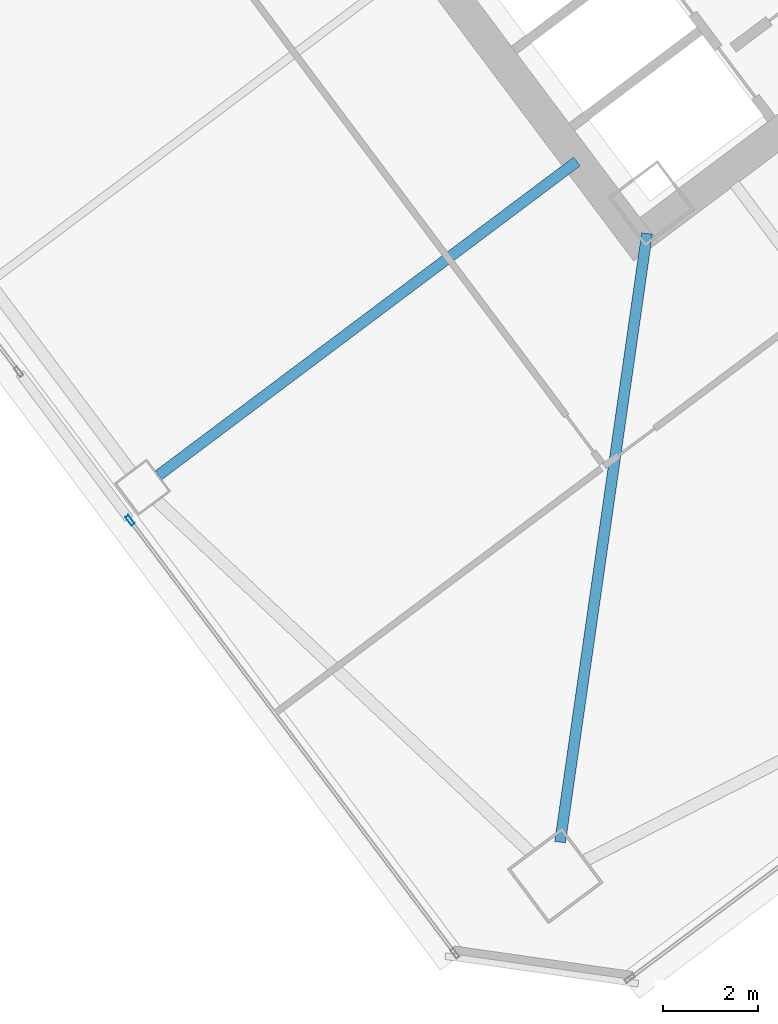
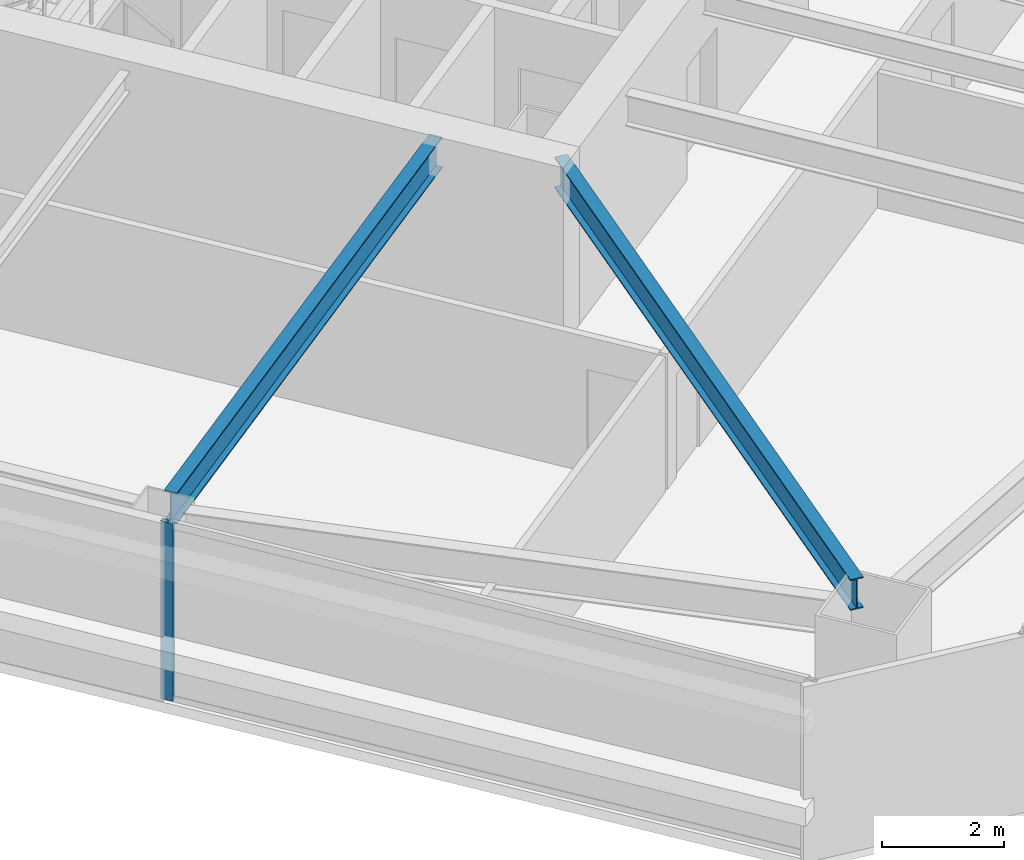
# One storey, part 19 of 46: 2 beams, 1 member, 1 element without a shape of its own.
"""IFC4 building model written with IfcOpenShell, lengths in metres."""

from ifc_helpers import new_model, si_unit, direction, frame, origin, origin_2d, place, context, subcontext, project, spatial, hollow_rectangle, i_section, extrude, material, material_profile, profile_set, type_object, element, aggregate, save


model = new_model("IFC4")

# Units and contexts
model_context = context("Model", 3, precision=1e-05, world=origin(), true_north=direction((0.0, 1.0)))
body_context = subcontext(model_context, "Body", "Model", "MODEL_VIEW")
ifc_project = project(units=[si_unit("LENGTHUNIT", "METRE"), si_unit("AREAUNIT", "SQUARE_METRE"), si_unit("VOLUMEUNIT", "CUBIC_METRE"), si_unit("PLANEANGLEUNIT", "RADIAN"), si_unit("MASSUNIT", "GRAM", prefix="KILO")], contexts=[model_context])

# Site, building, storey
site_placement = place(None, origin())
site = spatial("IfcSite", under=ifc_project, at=site_placement, CompositionType="ELEMENT")
building_placement = place(site_placement, origin())
building = spatial("IfcBuilding", under=site, at=building_placement, Name="Tashvorn Skyway Center", CompositionType="ELEMENT")
storey_placement = place(building_placement, frame((0.0, 0.0, 99.14990234375)))
storey = spatial("IfcBuildingStorey", under=building, at=storey_placement, Name="L26", CompositionType="ELEMENT", Elevation=99.14990234375)

# Beams
ifc_material_1 = material(Name="Steel ASTM A992 Grade 50", Category="steel")
ifc_material_profile_1 = material_profile(ifc_material_1, i_section(OverallWidth=0.22998046875, OverallDepth=0.616943359375, WebThickness=0.01318359375, FlangeThickness=0.022216796875, at=origin_2d()), Name="W24X94")
ifc_profile_set_1 = profile_set([ifc_material_profile_1], Name="Steel ASTM A992 Grade 50")
beam_type = type_object("IfcBeamType", Name="BM-BEAM-W24X94", PredefinedType="BEAM", material=ifc_profile_set_1)
beam_1_placement = place(storey_placement, frame((110.661865234375, 8.6328125, 3.04150390625), z_axis=(0.141418724841, 0.989949869571, 0.0), x_axis=(-0.989949869571, 0.141418724841, 0.0)))
element("IfcBeam", 1, at=beam_1_placement, inside=storey, type_object=beam_type, Name="Tower 2 L26 Primary Floor Girder MC-SW", PredefinedType="BEAM", context=body_context, shape_type="SweptSolid", body=[
    extrude(i_section(OverallWidth=0.22998046875, OverallDepth=0.616943359375, WebThickness=0.01318359375, FlangeThickness=0.022216796875, at=origin_2d()), origin(), (0.0, 0.0, 1.0), 12.9892578125),
])
beam_2_placement = place(storey_placement, frame((102.176025390625, 16.382080078125, 3.04150390625), z_axis=(0.800007953832, 0.599989394744, 0.0), x_axis=(-0.599989394744, 0.800007953832, 0.0)))
element("IfcBeam", 2, at=beam_2_placement, inside=storey, type_object=beam_type, Name="Tower 2 L26 Primary Floor Girder FC-W2", PredefinedType="BEAM", context=body_context, shape_type="SweptSolid", body=[
    extrude(i_section(OverallWidth=0.22998046875, OverallDepth=0.616943359375, WebThickness=0.01318359375, FlangeThickness=0.022216796875, at=origin_2d()), origin(), (0.0, 0.0, 1.0), 11.050048828125),
])

# Curtain wall, member
ifc_material_2 = material(Name="Thermally broken bronze-anodized aluminium 6063-T6", Category="aluminium")
curtain_wall_type = type_object("IfcCurtainWallType", Name="CW-CW-Z2", PredefinedType="NOTDEFINED", material=ifc_material_2)
curtain_wall_placement = place(storey_placement, origin())
curtain_wall = element("IfcCurtainWall", 3, at=curtain_wall_placement, inside=storey, type_object=curtain_wall_type, Name="Tower 2 L26 West Unitised Curtain Wall Glazing Group 1", PredefinedType="NOTDEFINED")
ifc_material_profile_2 = material_profile(ifc_material_2, hollow_rectangle(XDim=0.080078125, YDim=0.219970703125, WallThickness=0.0048828125, at=origin_2d()), Name="ALU-MULL-80x220")
ifc_profile_set_2 = profile_set([ifc_material_profile_2], Name="Thermally broken bronze-anodized aluminium 6063-T6")
member_type = type_object("IfcMemberType", Name="CWM-CW-Z2", PredefinedType="MULLION", material=ifc_profile_set_2)
member_placement = place(storey_placement, frame((101.575927734375, 15.431884765625, 0.0), z_axis=(0.0, 0.0, 1.0), x_axis=(-0.799999999998, -0.600000000002, 0.0)))
member = element("IfcMember", 4, at=member_placement, type_object=member_type, Name="CW-Z2 mullion 2", PredefinedType="MULLION", context=body_context, shape_type="SweptSolid", body=[
    extrude(hollow_rectangle(XDim=0.080078125, YDim=0.219970703125, WallThickness=0.0048828125, at=origin_2d()), origin(), (0.0, 0.0, 1.0), 3.550048828125),
])
aggregate(curtain_wall, [member])

save(model, "model.ifc")
